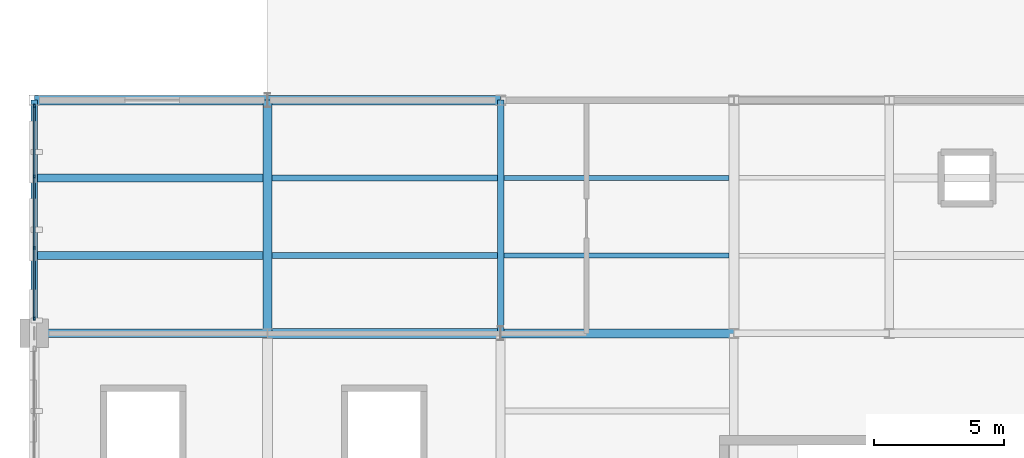
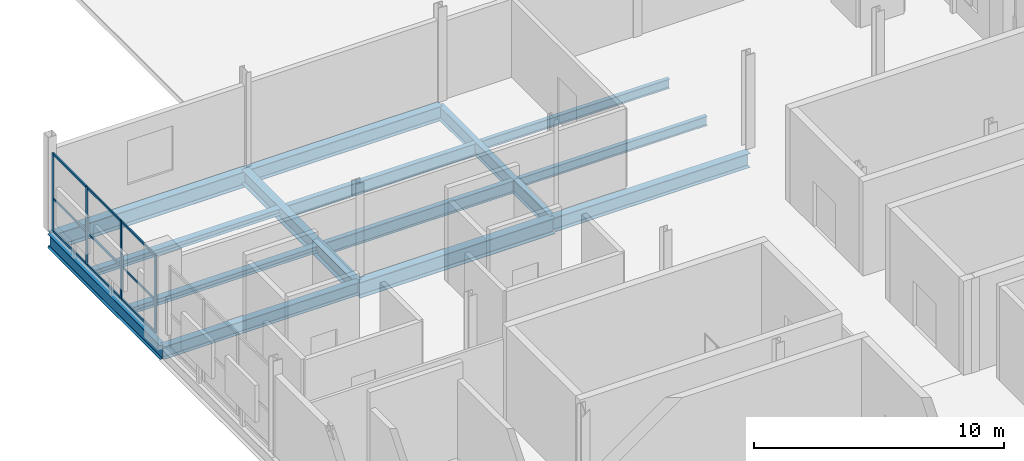
# One storey, part 18 of 29: 14 beams, 13 members, 1 element without a shape of its own.
"""IFC4 building model written with IfcOpenShell, lengths in metres."""

import ifcopenshell
import ifcopenshell.guid

model = None  # the IFC model being written
_history = None  # IfcOwnerHistory: only IFC2X3 demands one
_inside = {}  # id of a spatial element -> (the spatial element, [elements in it])
_under = {}  # id of a project, library or spatial element -> (it, [spatial elements below it])
_declared = {}  # id of a project -> (the project, [libraries it declares])
_typed = {}  # id of a type object -> (the type object, [elements of that type])
_made_of = {}  # id of a material, layer set ... -> (it, [elements and type objects made of it])


def new_model(schema):
    """Start an empty IFC model of exactly this schema.

    Asked for "IFC4X3", IfcOpenShell would pick the latest addendum, in which some entities
    have other attributes; the version numbers below select the first issue.
    IFC2X3 requires an IfcOwnerHistory on every rooted entity: one is made here for all.
    """
    global model, _history
    if schema == "IFC4X3":
        model = ifcopenshell.file(schema_version=(4, 3, 0, 0))
    else:
        model = ifcopenshell.file(schema=schema)
    _inside.clear()
    _under.clear()
    _declared.clear()
    _typed.clear()
    _made_of.clear()
    _history = None
    if model.schema == "IFC2X3":
        org = make("IfcOrganization", Name="unknown")
        user = make(
            "IfcPersonAndOrganization",
            ThePerson=make("IfcPerson", FamilyName="unknown"),
            TheOrganization=org,
        )
        app = make(
            "IfcApplication",
            ApplicationDeveloper=org,
            Version="unknown",
            ApplicationFullName="unknown",
            ApplicationIdentifier="unknown",
        )
        _history = make(
            "IfcOwnerHistory",
            OwningUser=user,
            OwningApplication=app,
            ChangeAction="ADDED",
            CreationDate=0,
        )
    return model


def make(cls, **values):
    """One entity of the class cls with the attributes given. An attribute that is None is left unset."""
    return model.create_entity(
        cls, **{name: value for name, value in values.items() if value is not None}
    )


def rooted(cls, **values):
    """An entity with a GlobalId (a new one), such as an element, a storey or a relation."""
    return make(cls, GlobalId=ifcopenshell.guid.new(), OwnerHistory=_history, **values)


def si_unit(unit_type, name, prefix=None):
    """IfcSIUnit, for example si_unit("LENGTHUNIT", "METRE", prefix="MILLI")."""
    return make("IfcSIUnit", UnitType=unit_type, Prefix=prefix, Name=name)


def assignment(units):
    """IfcUnitAssignment: the units of a project."""
    return None if units is None else make("IfcUnitAssignment", Units=units)


def point(xyz):
    """IfcCartesianPoint."""
    return None if xyz is None else make("IfcCartesianPoint", Coordinates=xyz)


def direction(xyz):
    """IfcDirection."""
    return None if xyz is None else make("IfcDirection", DirectionRatios=xyz)


def frame(location, z_axis=None, x_axis=None):
    """IfcAxis2Placement3D, a coordinate frame: its origin and axes. An axis left out is left unset."""
    return make(
        "IfcAxis2Placement3D",
        Location=point(location),
        Axis=direction(z_axis),
        RefDirection=direction(x_axis),
    )


def frame_2d(location, x_axis=None):
    """IfcAxis2Placement2D, a coordinate frame in the plane: its origin and x axis."""
    return make(
        "IfcAxis2Placement2D", Location=point(location), RefDirection=direction(x_axis)
    )


def origin():
    """The frame at (0, 0, 0) with its axes left unset."""
    return frame((0.0, 0.0, 0.0))


def origin_2d():
    """The frame at (0, 0) in the plane with its x axis left unset."""
    return frame_2d((0.0, 0.0))


def place(relative_to, where):
    """IfcLocalPlacement: puts the frame where relative to a parent placement (None: the world)."""
    return make(
        "IfcLocalPlacement", PlacementRelTo=relative_to, RelativePlacement=where
    )


def context(
    kind, dimensions, precision=None, world=None, true_north=None, identifier=None
):
    """IfcGeometricRepresentationContext, for example the 3D "Model" context."""
    return make(
        "IfcGeometricRepresentationContext",
        ContextIdentifier=identifier,
        ContextType=kind,
        CoordinateSpaceDimension=dimensions,
        Precision=precision,
        WorldCoordinateSystem=world,
        TrueNorth=true_north,
    )


def subcontext(parent, identifier, kind, view, scale=None):
    """IfcGeometricRepresentationSubContext, for example "Body" below "Model"."""
    return make(
        "IfcGeometricRepresentationSubContext",
        ContextIdentifier=identifier,
        ContextType=kind,
        ParentContext=parent,
        TargetScale=scale,
        TargetView=view,
    )


def project(units=None, contexts=None):
    """IfcProject with its units and contexts."""
    return rooted(
        "IfcProject",
        Name="project",
        RepresentationContexts=contexts,
        UnitsInContext=assignment(units),
    )


def spatial(cls, under=None, at=None, **own):
    """A site, building, storey or space (cls), placed at a placement, below another one or the project."""
    s = rooted(cls, ObjectPlacement=at, **own)
    if under is not None:
        _under.setdefault(under.id(), (under, []))[1].append(s)
    return s


def profile(cls, at=None, kind="AREA", **sizes):
    """A parametric profile (cls). Its sizes go by their IFC names, for example OverallWidth=200.0."""
    return make(cls, ProfileType=kind, Position=at, **sizes)


def rectangle(**sizes):
    """IfcRectangleProfileDef."""
    return profile("IfcRectangleProfileDef", **sizes)


def i_section(**sizes):
    """IfcIShapeProfileDef."""
    return profile("IfcIShapeProfileDef", **sizes)


def extrude(swept, where, along, depth):
    """IfcExtrudedAreaSolid: the profile swept, set in the frame where, extruded along a direction by depth."""
    return make(
        "IfcExtrudedAreaSolid",
        SweptArea=swept,
        Position=where,
        ExtrudedDirection=direction(along),
        Depth=depth,
    )


def shape(context_of_items, identifier, shape_type, items):
    """IfcShapeRepresentation: the items that make up one representation, for example the "Body"."""
    return make(
        "IfcShapeRepresentation",
        ContextOfItems=context_of_items,
        RepresentationIdentifier=identifier,
        RepresentationType=shape_type,
        Items=items,
    )


def material(Name=None, Category=None):
    """IfcMaterial."""
    return make("IfcMaterial", Name=Name, Category=Category)


def layer(
    of_material, thickness, ventilated=None, Name=None, Category=None, Priority=None
):
    """IfcMaterialLayer: one layer of a wall or slab, of a material (None: an air gap)."""
    return make(
        "IfcMaterialLayer",
        Material=of_material,
        LayerThickness=thickness,
        IsVentilated=ventilated,
        Name=Name,
        Category=Category,
        Priority=Priority,
    )


def layer_set(layers, Name=None):
    """IfcMaterialLayerSet."""
    return make("IfcMaterialLayerSet", MaterialLayers=layers, LayerSetName=Name)


def material_profile(
    of_material, cross_section, Name=None, Category=None, Priority=None
):
    """IfcMaterialProfile: a cross section and its material."""
    return make(
        "IfcMaterialProfile",
        Name=Name,
        Material=of_material,
        Profile=cross_section,
        Priority=Priority,
        Category=Category,
    )


def profile_set(profiles, Name=None, composite=None):
    """IfcMaterialProfileSet."""
    return make(
        "IfcMaterialProfileSet",
        Name=Name,
        MaterialProfiles=profiles,
        CompositeProfile=composite,
    )


def made_of(thing, what):
    """Note that an element or type object is made of a material, layer set ...; save() writes the relation."""
    if what is not None:
        _made_of.setdefault(what.id(), (what, []))[1].append(thing)
    return thing


def type_object(cls, material=None, **own):
    """A type object (cls), such as IfcWallType, which elements share."""
    return made_of(rooted(cls, **own), material)


def element(
    cls,
    number,
    at=None,
    inside=None,
    cuts=None,
    type_object=None,
    material=None,
    context=None,
    identifier="Body",
    shape_type=None,
    held_by="IfcProductDefinitionShape",
    body=None,
    shapes=None,
    **own,
):
    """One element of the class cls, such as IfcWall. Its Tag is "e" and its number.

    at: its placement. inside: the storey or other place that contains it. cuts: it is an
    opening in that element (IfcRelVoidsElement). A single representation is given by context,
    identifier, shape_type and body (its items); several are given by shapes. held_by: the class
    of the entity that holds the representations. save() writes the other relations.
    """
    e = rooted(cls, Tag="e%d" % number, ObjectPlacement=at, **own)
    if body is not None:
        shapes = [shape(context, identifier, shape_type, body)]
    if shapes is not None:
        e.Representation = make(held_by, Representations=shapes)
    if inside is not None:
        _inside.setdefault(inside.id(), (inside, []))[1].append(e)
    if cuts is not None:
        rooted(
            "IfcRelVoidsElement", RelatingBuildingElement=cuts, RelatedOpeningElement=e
        )
    if type_object is not None:
        _typed.setdefault(type_object.id(), (type_object, []))[1].append(e)
    return made_of(e, material)


def aggregate(whole, parts):
    """IfcRelAggregates: a whole, such as a stair, and the parts it consists of."""
    return rooted("IfcRelAggregates", RelatingObject=whole, RelatedObjects=parts)


def save(model, path):
    """Write the relations noted so far, then the file.

    IfcRelAggregates (storeys below a building ...), IfcRelContainedInSpatialStructure (elements
    in a storey), IfcRelDefinesByType, IfcRelAssociatesMaterial and IfcRelDeclares: one each for
    every whole, place, type object, material and project.
    """
    for whole, parts in _under.values():
        aggregate(whole, parts)
    for where, things in _inside.values():
        rooted(
            "IfcRelContainedInSpatialStructure",
            RelatedElements=things,
            RelatingStructure=where,
        )
    for kind, things in _typed.values():
        rooted("IfcRelDefinesByType", RelatedObjects=things, RelatingType=kind)
    for what, things in _made_of.values():
        rooted("IfcRelAssociatesMaterial", RelatedObjects=things, RelatingMaterial=what)
    for by, libraries in _declared.values():
        rooted("IfcRelDeclares", RelatingContext=by, RelatedDefinitions=libraries)
    model.write(path)


model = new_model("IFC4")

# Units and contexts
model_context = context("Model", 3, precision=1e-05, world=origin(), true_north=direction((0.0, 1.0)))
body_context = subcontext(model_context, "Body", "Model", "MODEL_VIEW")
ifc_project = project(units=[si_unit("LENGTHUNIT", "METRE"), si_unit("AREAUNIT", "SQUARE_METRE"), si_unit("VOLUMEUNIT", "CUBIC_METRE"), si_unit("PLANEANGLEUNIT", "RADIAN"), si_unit("MASSUNIT", "GRAM", prefix="KILO")], contexts=[model_context])

# Site, building, storey
site_placement = place(None, origin())
site = spatial("IfcSite", under=ifc_project, at=site_placement, CompositionType="ELEMENT")
building_placement = place(site_placement, origin())
building = spatial("IfcBuilding", under=site, at=building_placement, Name="Qamarlyn Nura Convention Centre", CompositionType="ELEMENT")
storey_placement = place(building_placement, frame((0.0, 0.0, 25.199951171875)))
storey = spatial("IfcBuildingStorey", under=building, at=storey_placement, Name="L05", CompositionType="ELEMENT", Elevation=25.199951171875)

# Beams
ifc_material_1 = material(Name="Steel ASTM A992", Category="steel")
ifc_material_profile_1 = material_profile(ifc_material_1, i_section(OverallWidth=0.323974609375, OverallDepth=0.611083984375, WebThickness=0.0126953125, FlangeThickness=0.01904296875, FilletRadius=0.01611328125, at=origin_2d()), Name="W610X155")
ifc_profile_set_1 = profile_set([ifc_material_profile_1], Name="Steel ASTM A992")
beam_type_1 = type_object("IfcBeamType", Name="BM-GIRD-610", PredefinedType="BEAM", material=ifc_profile_set_1)
beam_placement = place(storey_placement, frame((153.0, 81.0, -0.54541015625), z_axis=(1.0, 0.0, 0.0), x_axis=(0.0, 1.0, 0.0)))
element("IfcBeam", 1, at=beam_placement, inside=storey, type_object=beam_type_1, Name="L05 girder K 13-14", PredefinedType="BEAM", context=body_context, shape_type="SweptSolid", body=[
    extrude(i_section(OverallWidth=0.323974609375, OverallDepth=0.611083984375, WebThickness=0.0126953125, FlangeThickness=0.01904296875, FilletRadius=0.01611328125, at=origin_2d()), origin(), (0.0, 0.0, 1.0), 9.0),
])
ifc_material_profile_2 = material_profile(ifc_material_1, i_section(OverallWidth=0.35498046875, OverallDepth=0.695068359375, WebThickness=0.015380859375, FlangeThickness=0.02490234375, FilletRadius=0.01806640625, at=origin_2d()), Name="W690X217")
ifc_profile_set_2 = profile_set([ifc_material_profile_2], Name="Steel ASTM A992")
beam_type_2 = type_object("IfcBeamType", Name="BM-GIRD-690A", PredefinedType="BEAM", material=ifc_profile_set_2)
for number, where, z_axis, x_axis, name in (
    (2, (171.0, 81.0, -0.58740234375), (1.0, 0.0, 0.0), (0.0, 1.0, 0.0), "L05 girder K 15-16"),
    (3, (162.0, 90.0, -0.58740234375), (1.0, 0.0, 0.0), (0.0, 1.0, 0.0), "L05 girder L 14-15"),
    (4, (162.0, 81.0, -0.58740234375), (0.0, 1.0, 0.0), (-1.0, 0.0, 0.0), "L05 girder 14 K-L"),
):
    element("IfcBeam", number, at=place(storey_placement, frame(where, z_axis=z_axis, x_axis=x_axis)), inside=storey, type_object=beam_type_2, Name=name, PredefinedType="BEAM", context=body_context, shape_type="SweptSolid", body=[
        extrude(i_section(OverallWidth=0.35498046875, OverallDepth=0.695068359375, WebThickness=0.015380859375, FlangeThickness=0.02490234375, FilletRadius=0.01806640625, at=origin_2d()), origin(), (0.0, 0.0, 1.0), 9.0),
    ])
ifc_material_profile_3 = material_profile(ifc_material_1, i_section(OverallWidth=0.25390625, OverallDepth=0.68408203125, WebThickness=0.012451171875, FlangeThickness=0.01904296875, FilletRadius=0.01806640625, at=origin_2d()), Name="W690X140")
ifc_profile_set_3 = profile_set([ifc_material_profile_3], Name="Steel ASTM A992")
beam_type_3 = type_object("IfcBeamType", Name="BM-GIRD-690B", PredefinedType="BEAM", material=ifc_profile_set_3)
for number, where, z_axis, x_axis, name in (
    (5, (153.0, 81.0, -0.58203125), (0.0, 1.0, 0.0), (-1.0, 0.0, 0.0), "L05 girder 13 K-L"),
    (6, (171.0, 81.0, -0.58203125), (0.0, 1.0, 0.0), (-1.0, 0.0, 0.0), "L05 girder 15 K-L"),
):
    element("IfcBeam", number, at=place(storey_placement, frame(where, z_axis=z_axis, x_axis=x_axis)), inside=storey, type_object=beam_type_3, Name=name, PredefinedType="BEAM", context=body_context, shape_type="SweptSolid", body=[
        extrude(i_section(OverallWidth=0.25390625, OverallDepth=0.68408203125, WebThickness=0.012451171875, FlangeThickness=0.01904296875, FilletRadius=0.01806640625, at=origin_2d()), origin(), (0.0, 0.0, 1.0), 9.0),
    ])
ifc_material_profile_4 = material_profile(ifc_material_1, i_section(OverallWidth=0.381103515625, OverallDepth=0.77294921875, WebThickness=0.0166015625, FlangeThickness=0.027587890625, FilletRadius=0.02001953125, at=origin_2d()), Name="W760X257")
ifc_profile_set_4 = profile_set([ifc_material_profile_4], Name="Steel ASTM A992")
beam_type_4 = type_object("IfcBeamType", Name="BM-GIRD-760", PredefinedType="BEAM", material=ifc_profile_set_4)
for number, where, z_axis, x_axis, name in (
    (7, (162.0, 81.0, -0.62646484375), (1.0, 0.0, 0.0), (0.0, 1.0, 0.0), "L05 girder K 14-15"),
    (8, (153.0, 90.0, -0.62646484375), (1.0, 0.0, 0.0), (0.0, 1.0, 0.0), "L05 girder L 13-14"),
):
    element("IfcBeam", number, at=place(storey_placement, frame(where, z_axis=z_axis, x_axis=x_axis)), inside=storey, type_object=beam_type_4, Name=name, PredefinedType="BEAM", context=body_context, shape_type="SweptSolid", body=[
        extrude(i_section(OverallWidth=0.381103515625, OverallDepth=0.77294921875, WebThickness=0.0166015625, FlangeThickness=0.027587890625, FilletRadius=0.02001953125, at=origin_2d()), origin(), (0.0, 0.0, 1.0), 9.0),
    ])
ifc_material_profile_5 = material_profile(ifc_material_1, i_section(OverallWidth=0.304931640625, OverallDepth=0.30810546875, WebThickness=0.010009765625, FlangeThickness=0.015380859375, FilletRadius=0.014892578125, at=origin_2d()), Name="W310X97")
ifc_profile_set_5 = profile_set([ifc_material_profile_5], Name="Steel ASTM A992")
beam_type_5 = type_object("IfcBeamType", Name="BM-JOIST-310", PredefinedType="JOIST", material=ifc_profile_set_5)
for number, where, z_axis, x_axis, name in (
    (9, (153.126953125, 84.0, -0.39404296875), (1.0, 0.0, 0.0), (0.0, 1.0, 0.0), "L05 composite joist 13-14/K+1"),
    (10, (153.126953125, 87.0, -0.39404296875), (1.0, 0.0, 0.0), (0.0, 1.0, 0.0), "L05 composite joist 13-14/K+2"),
):
    element("IfcBeam", number, at=place(storey_placement, frame(where, z_axis=z_axis, x_axis=x_axis)), inside=storey, type_object=beam_type_5, Name=name, PredefinedType="JOIST", context=body_context, shape_type="SweptSolid", body=[
        extrude(i_section(OverallWidth=0.304931640625, OverallDepth=0.30810546875, WebThickness=0.010009765625, FlangeThickness=0.015380859375, FilletRadius=0.014892578125, at=origin_2d()), origin(), (0.0, 0.0, 1.0), 8.695556640625),
    ])
ifc_material_profile_6 = material_profile(ifc_material_1, i_section(OverallWidth=0.18994140625, OverallDepth=0.45703125, WebThickness=0.009033203125, FlangeThickness=0.014404296875, FilletRadius=0.012939453125, at=origin_2d()), Name="W460X74")
ifc_profile_set_6 = profile_set([ifc_material_profile_6], Name="Steel ASTM A992")
beam_type_6 = type_object("IfcBeamType", Name="BM-JOIST-460", PredefinedType="JOIST", material=ifc_profile_set_6)
for number, where, z_axis, x_axis, name in (
    (11, (171.126953125, 84.0, -0.468505859375), (1.0, 0.0, 0.0), (0.0, 1.0, 0.0), "L05 composite joist 15-16/K+1"),
    (12, (171.126953125, 87.0, -0.468505859375), (1.0, 0.0, 0.0), (0.0, 1.0, 0.0), "L05 composite joist 15-16/K+2"),
):
    element("IfcBeam", number, at=place(storey_placement, frame(where, z_axis=z_axis, x_axis=x_axis)), inside=storey, type_object=beam_type_6, Name=name, PredefinedType="JOIST", context=body_context, shape_type="SweptSolid", body=[
        extrude(i_section(OverallWidth=0.18994140625, OverallDepth=0.45703125, WebThickness=0.009033203125, FlangeThickness=0.014404296875, FilletRadius=0.012939453125, at=origin_2d()), origin(), (0.0, 0.0, 1.0), 8.6826171875),
    ])
ifc_material_profile_7 = material_profile(ifc_material_1, i_section(OverallWidth=0.22802734375, OverallDepth=0.60791015625, WebThickness=0.01123046875, FlangeThickness=0.017333984375, FilletRadius=0.01611328125, at=origin_2d()), Name="W610X113")
ifc_profile_set_7 = profile_set([ifc_material_profile_7], Name="Steel ASTM A992")
beam_type_7 = type_object("IfcBeamType", Name="BM-JOIST-610", PredefinedType="JOIST", material=ifc_profile_set_7)
for number, where, z_axis, x_axis, name in (
    (13, (162.177490234375, 84.0, -0.5439453125), (1.0, 0.0, 0.0), (0.0, 1.0, 0.0), "L05 composite joist 14-15/K+1"),
    (14, (162.177490234375, 87.0, -0.5439453125), (1.0, 0.0, 0.0), (0.0, 1.0, 0.0), "L05 composite joist 14-15/K+2"),
):
    element("IfcBeam", number, at=place(storey_placement, frame(where, z_axis=z_axis, x_axis=x_axis)), inside=storey, type_object=beam_type_7, Name=name, PredefinedType="JOIST", context=body_context, shape_type="SweptSolid", body=[
        extrude(i_section(OverallWidth=0.22802734375, OverallDepth=0.60791015625, WebThickness=0.01123046875, FlangeThickness=0.017333984375, FilletRadius=0.01611328125, at=origin_2d()), origin(), (0.0, 0.0, 1.0), 8.695556640625),
    ])

# Curtain wall, members
ifc_material_2 = material(Name="Double-silver low-E insulated glass", Category="glass")
ifc_layer = layer(ifc_material_2, 0.179931640625, Name="CW-UNIT-162")
ifc_layer_set = layer_set([ifc_layer], Name="Double-silver low-E insulated glass")
curtain_wall_type = type_object("IfcCurtainWallType", Name="CW-UNIT-162", PredefinedType="NOTDEFINED", material=ifc_layer_set)
curtain_wall_placement = place(storey_placement, origin())
curtain_wall = element("IfcCurtainWall", 15, at=curtain_wall_placement, inside=storey, type_object=curtain_wall_type, Name="L05 unitised curtain wall CRT-81-1", PredefinedType="NOTDEFINED")
ifc_material_3 = material(Name="Champagne-anodised marine aluminium", Category="aluminium")
ifc_material_profile_8 = material_profile(ifc_material_3, rectangle(XDim=0.06005859375, YDim=0.139892578125, at=origin_2d()), Name="ALU MULLION 60x140")
ifc_profile_set_8 = profile_set([ifc_material_profile_8], Name="Champagne-anodised marine aluminium")
member_type_1 = type_object("IfcMemberType", Name="CWM-140", PredefinedType="MULLION", material=ifc_profile_set_8)
member_1_placement = place(storey_placement, frame((153.0, 81.580078125, 0.0), z_axis=(0.0, 0.0, 1.0), x_axis=(-1.0, 0.0, 0.0)))
member_1 = element("IfcMember", 16, at=member_1_placement, type_object=member_type_1, Name="CW162 mullion 1", PredefinedType="MULLION", context=body_context, shape_type="SweptSolid", body=[
    extrude(rectangle(XDim=0.06005859375, YDim=0.139892578125, at=origin_2d()), origin(), (0.0, 0.0, 1.0), 3.80712890625),
])
member_2_placement = place(storey_placement, frame((153.0, 84.300048828125, 0.0), z_axis=(0.0, 0.0, 1.0), x_axis=(-1.0, 0.0, 0.0)))
member_2 = element("IfcMember", 17, at=member_2_placement, type_object=member_type_1, Name="CW162 mullion 2", PredefinedType="MULLION", context=body_context, shape_type="SweptSolid", body=[
    extrude(rectangle(XDim=0.06005859375, YDim=0.139892578125, at=origin_2d()), origin(), (0.0, 0.0, 1.0), 3.80712890625),
])
member_3_placement = place(storey_placement, frame((153.0, 87.050048828125, 0.0), z_axis=(0.0, 0.0, 1.0), x_axis=(-1.0, 0.0, 0.0)))
member_3 = element("IfcMember", 18, at=member_3_placement, type_object=member_type_1, Name="CW162 mullion 3", PredefinedType="MULLION", context=body_context, shape_type="SweptSolid", body=[
    extrude(rectangle(XDim=0.06005859375, YDim=0.139892578125, at=origin_2d()), origin(), (0.0, 0.0, 1.0), 3.80712890625),
])
member_4_placement = place(storey_placement, frame((153.0, 89.77001953125, 0.0), z_axis=(0.0, 0.0, 1.0), x_axis=(-1.0, 0.0, 0.0)))
member_4 = element("IfcMember", 19, at=member_4_placement, type_object=member_type_1, Name="CW162 mullion 4", PredefinedType="MULLION", context=body_context, shape_type="SweptSolid", body=[
    extrude(rectangle(XDim=0.06005859375, YDim=0.139892578125, at=origin_2d()), origin(), (0.0, 0.0, 1.0), 3.80712890625),
])
ifc_material_profile_9 = material_profile(ifc_material_3, rectangle(XDim=0.06005859375, YDim=0.10009765625, at=origin_2d()), Name="ALU TRANSOM 60x100")
ifc_profile_set_9 = profile_set([ifc_material_profile_9], Name="Champagne-anodised marine aluminium")
member_type_2 = type_object("IfcMemberType", Name="CWT-100", PredefinedType="USERDEFINED", material=ifc_profile_set_9)
member_5_placement = place(storey_placement, frame((153.0, 81.610107421875, 0.030029296875), z_axis=(0.0, 1.0, 0.0), x_axis=(-1.0, 0.0, 0.0)))
member_5 = element("IfcMember", 20, at=member_5_placement, type_object=member_type_2, Name="CW162 transom 1.1", ObjectType="TRANSOM", PredefinedType="USERDEFINED", context=body_context, shape_type="SweptSolid", body=[
    extrude(rectangle(XDim=0.06005859375, YDim=0.10009765625, at=origin_2d()), origin(), (0.0, 0.0, 1.0), 2.659912109375),
])
member_6_placement = place(storey_placement, frame((153.0, 81.610107421875, 1.59912109375), z_axis=(0.0, 1.0, 0.0), x_axis=(-1.0, 0.0, 0.0)))
member_6 = element("IfcMember", 21, at=member_6_placement, type_object=member_type_2, Name="CW162 transom 1.2", ObjectType="TRANSOM", PredefinedType="USERDEFINED", context=body_context, shape_type="SweptSolid", body=[
    extrude(rectangle(XDim=0.06005859375, YDim=0.10009765625, at=origin_2d()), origin(), (0.0, 0.0, 1.0), 2.659912109375),
])
member_7_placement = place(storey_placement, frame((153.0, 81.610107421875, 3.777099609375), z_axis=(0.0, 1.0, 0.0), x_axis=(-1.0, 0.0, 0.0)))
member_7 = element("IfcMember", 22, at=member_7_placement, type_object=member_type_2, Name="CW162 transom 1.3", ObjectType="TRANSOM", PredefinedType="USERDEFINED", context=body_context, shape_type="SweptSolid", body=[
    extrude(rectangle(XDim=0.06005859375, YDim=0.10009765625, at=origin_2d()), origin(), (0.0, 0.0, 1.0), 2.659912109375),
])
member_8_placement = place(storey_placement, frame((153.0, 84.330078125, 0.030029296875), z_axis=(0.0, 1.0, 0.0), x_axis=(-1.0, 0.0, 0.0)))
member_8 = element("IfcMember", 23, at=member_8_placement, type_object=member_type_2, Name="CW162 transom 2.1", ObjectType="TRANSOM", PredefinedType="USERDEFINED", context=body_context, shape_type="SweptSolid", body=[
    extrude(rectangle(XDim=0.06005859375, YDim=0.10009765625, at=origin_2d()), origin(), (0.0, 0.0, 1.0), 2.68994140625),
])
member_9_placement = place(storey_placement, frame((153.0, 84.330078125, 1.59912109375), z_axis=(0.0, 1.0, 0.0), x_axis=(-1.0, 0.0, 0.0)))
member_9 = element("IfcMember", 24, at=member_9_placement, type_object=member_type_2, Name="CW162 transom 2.2", ObjectType="TRANSOM", PredefinedType="USERDEFINED", context=body_context, shape_type="SweptSolid", body=[
    extrude(rectangle(XDim=0.06005859375, YDim=0.10009765625, at=origin_2d()), origin(), (0.0, 0.0, 1.0), 2.68994140625),
])
member_10_placement = place(storey_placement, frame((153.0, 84.330078125, 3.777099609375), z_axis=(0.0, 1.0, 0.0), x_axis=(-1.0, 0.0, 0.0)))
member_10 = element("IfcMember", 25, at=member_10_placement, type_object=member_type_2, Name="CW162 transom 2.3", ObjectType="TRANSOM", PredefinedType="USERDEFINED", context=body_context, shape_type="SweptSolid", body=[
    extrude(rectangle(XDim=0.06005859375, YDim=0.10009765625, at=origin_2d()), origin(), (0.0, 0.0, 1.0), 2.68994140625),
])
member_11_placement = place(storey_placement, frame((153.0, 87.080078125, 0.030029296875), z_axis=(0.0, 1.0, 0.0), x_axis=(-1.0, 0.0, 0.0)))
member_11 = element("IfcMember", 26, at=member_11_placement, type_object=member_type_2, Name="CW162 transom 3.1", ObjectType="TRANSOM", PredefinedType="USERDEFINED", context=body_context, shape_type="SweptSolid", body=[
    extrude(rectangle(XDim=0.06005859375, YDim=0.10009765625, at=origin_2d()), origin(), (0.0, 0.0, 1.0), 2.659912109375),
])
member_12_placement = place(storey_placement, frame((153.0, 87.080078125, 1.59912109375), z_axis=(0.0, 1.0, 0.0), x_axis=(-1.0, 0.0, 0.0)))
member_12 = element("IfcMember", 27, at=member_12_placement, type_object=member_type_2, Name="CW162 transom 3.2", ObjectType="TRANSOM", PredefinedType="USERDEFINED", context=body_context, shape_type="SweptSolid", body=[
    extrude(rectangle(XDim=0.06005859375, YDim=0.10009765625, at=origin_2d()), origin(), (0.0, 0.0, 1.0), 2.659912109375),
])
member_13_placement = place(storey_placement, frame((153.0, 87.080078125, 3.777099609375), z_axis=(0.0, 1.0, 0.0), x_axis=(-1.0, 0.0, 0.0)))
member_13 = element("IfcMember", 28, at=member_13_placement, type_object=member_type_2, Name="CW162 transom 3.3", ObjectType="TRANSOM", PredefinedType="USERDEFINED", context=body_context, shape_type="SweptSolid", body=[
    extrude(rectangle(XDim=0.06005859375, YDim=0.10009765625, at=origin_2d()), origin(), (0.0, 0.0, 1.0), 2.659912109375),
])
aggregate(curtain_wall, [member_1, member_2, member_3, member_4, member_5, member_6, member_7, member_8, member_9, member_10, member_11, member_12, member_13])

save(model, "model.ifc")
